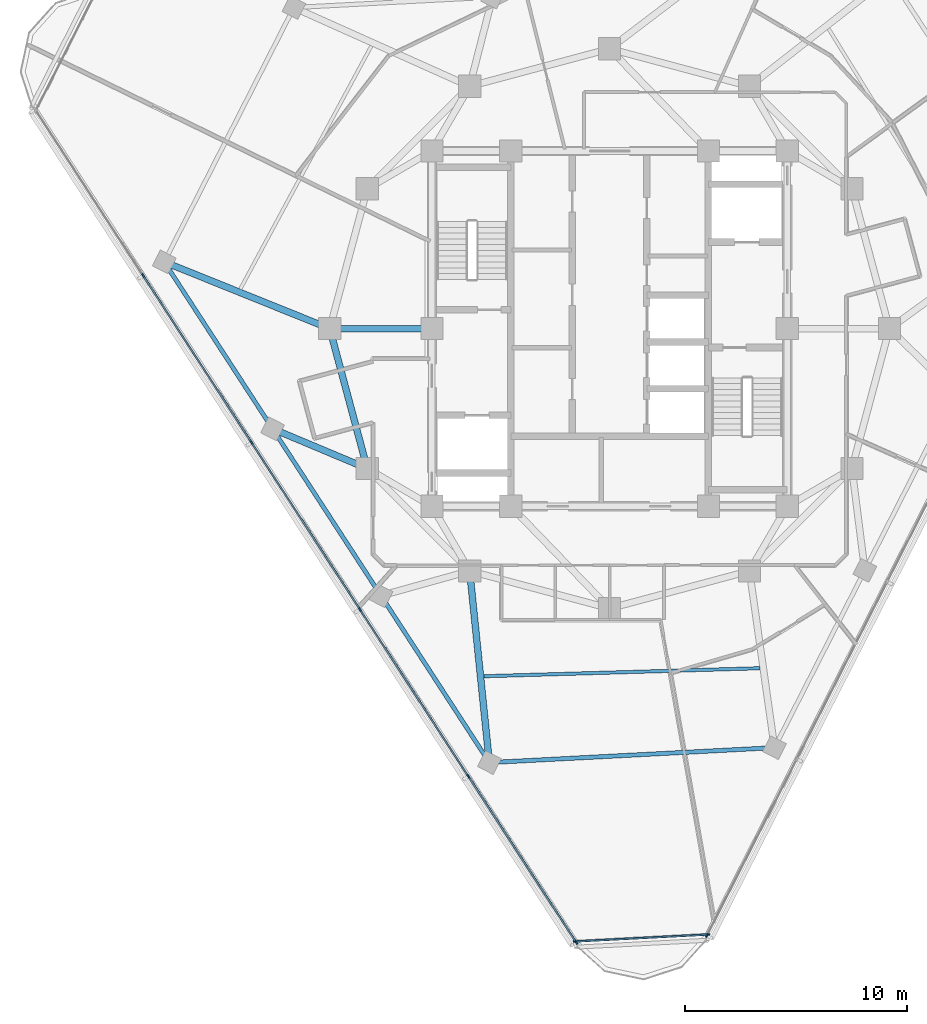
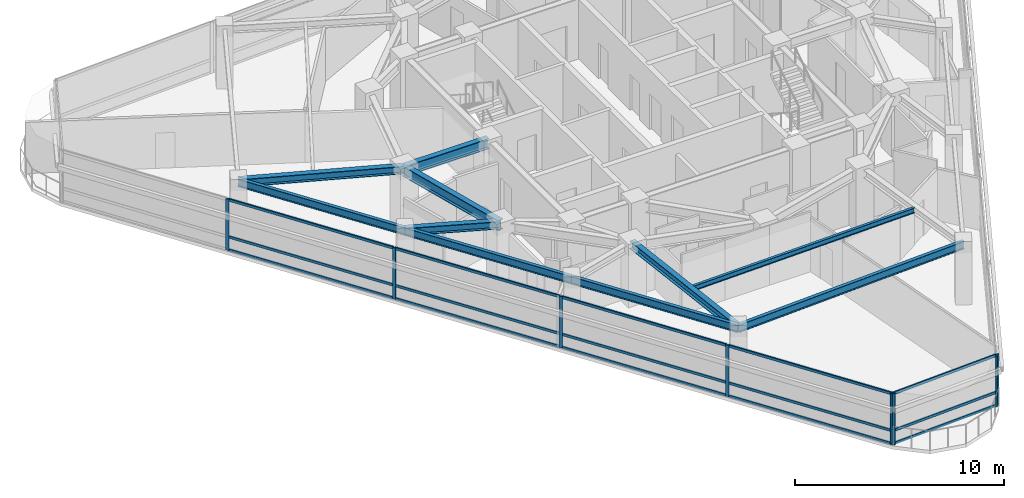
# One storey, part 2 of 15: 23 members, 10 beams, 3 elements without a shape of their own.
"""IFC4 building model written with IfcOpenShell, lengths in metres."""

from ifc_helpers import new_model, si_unit, direction, frame, origin, origin_2d, place, context, subcontext, project, spatial, rectangle, i_section, extrude, material, layer, layer_set, material_profile, profile_set, type_object, element, aggregate, save


model = new_model("IFC4")

# Units and contexts
model_context = context("Model", 3, precision=1e-05, world=origin(), true_north=direction((0.0, 1.0)))
body_context = subcontext(model_context, "Body", "Model", "MODEL_VIEW")
ifc_project = project(units=[si_unit("LENGTHUNIT", "METRE"), si_unit("AREAUNIT", "SQUARE_METRE"), si_unit("VOLUMEUNIT", "CUBIC_METRE"), si_unit("PLANEANGLEUNIT", "RADIAN"), si_unit("MASSUNIT", "GRAM", prefix="KILO")], contexts=[model_context])

# Site, building, storey
site_placement = place(None, origin())
site = spatial("IfcSite", under=ifc_project, at=site_placement, CompositionType="ELEMENT")
building_placement = place(site_placement, origin())
building = spatial("IfcBuilding", under=site, at=building_placement, Name="Terralouvre Media Tower", CompositionType="ELEMENT")
storey_placement = place(building_placement, frame((0.0, 0.0, 255.89990234375)))
storey = spatial("IfcBuildingStorey", under=building, at=storey_placement, Name="L66", CompositionType="ELEMENT", Elevation=255.89990234375)

# Beam
ifc_material_1 = material(Name="Structural steel S355J2", Category="steel")
ifc_material_profile_1 = material_profile(ifc_material_1, i_section(OverallWidth=0.14990234375, OverallDepth=0.300048828125, WebThickness=0.007080078125, FlangeThickness=0.0107421875, at=origin_2d()), Name="IPE 300")
ifc_profile_set_1 = profile_set([ifc_material_profile_1], Name="Structural steel S355J2")
beam_type_1 = type_object("IfcBeamType", Name="Composite Floor Joist J-IPE300 (IPE 300)", PredefinedType="JOIST", material=ifc_profile_set_1)
beam_1_placement = place(storey_placement, frame((-5.662353515625, -15.653564453125, 3.35009765625), z_axis=(0.999577320821, 0.029071974473, 0.0), x_axis=(-0.029071974473, 0.999577320821, 0.0)))
element("IfcBeam", 1, at=beam_1_placement, inside=storey, type_object=beam_type_1, Name="L66 Framing Beam JT-L66-01", PredefinedType="JOIST", context=body_context, shape_type="SweptSolid", body=[
    extrude(i_section(OverallWidth=0.14990234375, OverallDepth=0.300048828125, WebThickness=0.007080078125, FlangeThickness=0.0107421875, at=origin_2d()), origin(), (0.0, 0.0, 1.0), 12.437255859375),
])

# Curtain wall, members
ifc_material_2 = material(Name="Low-iron laminated double glazing with solar-control coating", Category="glass")
ifc_layer_1 = layer(ifc_material_2, 0.1650390625, Name="Upper Executive Tower Curtain Wall CW-05")
ifc_layer_set_1 = layer_set([ifc_layer_1], Name="Low-iron laminated double glazing with solar-control coating")
curtain_wall_type_1 = type_object("IfcCurtainWallType", Name="Upper Executive Tower Curtain Wall CW-05", PredefinedType="NOTDEFINED", material=ifc_layer_set_1)
curtain_wall_1_placement = place(storey_placement, origin())
curtain_wall_1 = element("IfcCurtainWall", 2, at=curtain_wall_1_placement, inside=storey, type_object=curtain_wall_type_1, Name="L66 Facade Curtain Wall F2", PredefinedType="NOTDEFINED")
ifc_material_3 = material(Name="Anodised extruded aluminium 6063-T6", Category="aluminium")
ifc_material_profile_2 = material_profile(ifc_material_3, rectangle(XDim=0.074951171875, YDim=0.14990234375, at=origin_2d()), Name="ALU 75x150")
ifc_profile_set_2 = profile_set([ifc_material_profile_2], Name="Anodised extruded aluminium 6063-T6")
member_type_1 = type_object("IfcMemberType", Name="Curtain-Wall Horizontal Transom TR-150", PredefinedType="USERDEFINED", material=ifc_profile_set_2)
member_1_placement = place(storey_placement, frame((-20.98046875, 2.355712890625, 0.03759765625), z_axis=(0.544647362145, -0.838665160185, 0.0), x_axis=(0.838665160185, 0.544647362145, 0.0)))
member_1 = element("IfcMember", 3, at=member_1_placement, type_object=member_type_1, Name="CW-05 transom 2.1", ObjectType="TRANSOM", PredefinedType="USERDEFINED", context=body_context, shape_type="SweptSolid", body=[
    extrude(rectangle(XDim=0.074951171875, YDim=0.14990234375, at=origin_2d()), origin(), (0.0, 0.0, 1.0), 8.884765625),
])
member_2_placement = place(storey_placement, frame((-20.98046875, 2.355712890625, 0.800048828125), z_axis=(0.544647362145, -0.838665160185, 0.0), x_axis=(0.838665160185, 0.544647362145, 0.0)))
member_2 = element("IfcMember", 4, at=member_2_placement, type_object=member_type_1, Name="CW-05 transom 2.2", ObjectType="TRANSOM", PredefinedType="USERDEFINED", context=body_context, shape_type="SweptSolid", body=[
    extrude(rectangle(XDim=0.074951171875, YDim=0.14990234375, at=origin_2d()), origin(), (0.0, 0.0, 1.0), 8.884765625),
])
member_3_placement = place(storey_placement, frame((-20.98046875, 2.355712890625, 2.962646484375), z_axis=(0.544647362145, -0.838665160185, 0.0), x_axis=(0.838665160185, 0.544647362145, 0.0)))
member_3 = element("IfcMember", 5, at=member_3_placement, type_object=member_type_1, Name="CW-05 transom 2.3", ObjectType="TRANSOM", PredefinedType="USERDEFINED", context=body_context, shape_type="SweptSolid", body=[
    extrude(rectangle(XDim=0.074951171875, YDim=0.14990234375, at=origin_2d()), origin(), (0.0, 0.0, 1.0), 8.884765625),
])
member_4_placement = place(storey_placement, frame((-16.1005859375, -5.15869140625, 0.03759765625), z_axis=(0.544634810925, -0.838673311087, 0.0), x_axis=(0.838673311087, 0.544634810925, 0.0)))
member_4 = element("IfcMember", 6, at=member_4_placement, type_object=member_type_1, Name="CW-05 transom 3.1", ObjectType="TRANSOM", PredefinedType="USERDEFINED", context=body_context, shape_type="SweptSolid", body=[
    extrude(rectangle(XDim=0.074951171875, YDim=0.14990234375, at=origin_2d()), origin(), (0.0, 0.0, 1.0), 8.885009765625),
])
member_5_placement = place(storey_placement, frame((-16.1005859375, -5.15869140625, 0.800048828125), z_axis=(0.544634810925, -0.838673311087, 0.0), x_axis=(0.838673311087, 0.544634810925, 0.0)))
member_5 = element("IfcMember", 7, at=member_5_placement, type_object=member_type_1, Name="CW-05 transom 3.2", ObjectType="TRANSOM", PredefinedType="USERDEFINED", context=body_context, shape_type="SweptSolid", body=[
    extrude(rectangle(XDim=0.074951171875, YDim=0.14990234375, at=origin_2d()), origin(), (0.0, 0.0, 1.0), 8.885009765625),
])
member_6_placement = place(storey_placement, frame((-16.1005859375, -5.15869140625, 2.962646484375), z_axis=(0.544634810925, -0.838673311087, 0.0), x_axis=(0.838673311087, 0.544634810925, 0.0)))
member_6 = element("IfcMember", 8, at=member_6_placement, type_object=member_type_1, Name="CW-05 transom 3.3", ObjectType="TRANSOM", PredefinedType="USERDEFINED", context=body_context, shape_type="SweptSolid", body=[
    extrude(rectangle(XDim=0.074951171875, YDim=0.14990234375, at=origin_2d()), origin(), (0.0, 0.0, 1.0), 8.885009765625),
])
member_7_placement = place(storey_placement, frame((-11.220458984375, -12.673095703125, 0.03759765625), z_axis=(0.544634810925, -0.838673311087, 0.0), x_axis=(0.838673311087, 0.544634810925, 0.0)))
member_7 = element("IfcMember", 9, at=member_7_placement, type_object=member_type_1, Name="CW-05 transom 4.1", ObjectType="TRANSOM", PredefinedType="USERDEFINED", context=body_context, shape_type="SweptSolid", body=[
    extrude(rectangle(XDim=0.074951171875, YDim=0.14990234375, at=origin_2d()), origin(), (0.0, 0.0, 1.0), 8.885009765625),
])
member_8_placement = place(storey_placement, frame((-11.220458984375, -12.673095703125, 0.800048828125), z_axis=(0.544634810925, -0.838673311087, 0.0), x_axis=(0.838673311087, 0.544634810925, 0.0)))
member_8 = element("IfcMember", 10, at=member_8_placement, type_object=member_type_1, Name="CW-05 transom 4.2", ObjectType="TRANSOM", PredefinedType="USERDEFINED", context=body_context, shape_type="SweptSolid", body=[
    extrude(rectangle(XDim=0.074951171875, YDim=0.14990234375, at=origin_2d()), origin(), (0.0, 0.0, 1.0), 8.885009765625),
])
member_9_placement = place(storey_placement, frame((-11.220458984375, -12.673095703125, 2.962646484375), z_axis=(0.544634810925, -0.838673311087, 0.0), x_axis=(0.838673311087, 0.544634810925, 0.0)))
member_9 = element("IfcMember", 11, at=member_9_placement, type_object=member_type_1, Name="CW-05 transom 4.3", ObjectType="TRANSOM", PredefinedType="USERDEFINED", context=body_context, shape_type="SweptSolid", body=[
    extrude(rectangle(XDim=0.074951171875, YDim=0.14990234375, at=origin_2d()), origin(), (0.0, 0.0, 1.0), 8.885009765625),
])
member_10_placement = place(storey_placement, frame((-6.340576171875, -20.187744140625, 0.03759765625), z_axis=(0.544630398361, -0.838676176591, 0.0), x_axis=(0.838676176591, 0.544630398361, 0.0)))
member_10 = element("IfcMember", 12, at=member_10_placement, type_object=member_type_1, Name="CW-05 transom 5.1", ObjectType="TRANSOM", PredefinedType="USERDEFINED", context=body_context, shape_type="SweptSolid", body=[
    extrude(rectangle(XDim=0.074951171875, YDim=0.14990234375, at=origin_2d()), origin(), (0.0, 0.0, 1.0), 8.847412109375),
])
member_11_placement = place(storey_placement, frame((-6.340576171875, -20.187744140625, 0.800048828125), z_axis=(0.544630398361, -0.838676176591, 0.0), x_axis=(0.838676176591, 0.544630398361, 0.0)))
member_11 = element("IfcMember", 13, at=member_11_placement, type_object=member_type_1, Name="CW-05 transom 5.2", ObjectType="TRANSOM", PredefinedType="USERDEFINED", context=body_context, shape_type="SweptSolid", body=[
    extrude(rectangle(XDim=0.074951171875, YDim=0.14990234375, at=origin_2d()), origin(), (0.0, 0.0, 1.0), 8.847412109375),
])
member_12_placement = place(storey_placement, frame((-6.340576171875, -20.187744140625, 2.962646484375), z_axis=(0.544630398361, -0.838676176591, 0.0), x_axis=(0.838676176591, 0.544630398361, 0.0)))
member_12 = element("IfcMember", 14, at=member_12_placement, type_object=member_type_1, Name="CW-05 transom 5.3", ObjectType="TRANSOM", PredefinedType="USERDEFINED", context=body_context, shape_type="SweptSolid", body=[
    extrude(rectangle(XDim=0.074951171875, YDim=0.14990234375, at=origin_2d()), origin(), (0.0, 0.0, 1.0), 8.847412109375),
])

ifc_material_4 = material(Name="Low-iron laminated double glazing with solar-control coating", Category="glass")
ifc_layer_2 = layer(ifc_material_4, 0.1650390625, Name="Rounded Wind-Corner Curved Glazing CW-04")
ifc_layer_set_2 = layer_set([ifc_layer_2], Name="Low-iron laminated double glazing with solar-control coating")
curtain_wall_type_2 = type_object("IfcCurtainWallType", Name="Rounded Wind-Corner Curved Glazing CW-04", PredefinedType="NOTDEFINED", material=ifc_layer_set_2)
curtain_wall_2_placement = place(storey_placement, origin())
curtain_wall_2 = element("IfcCurtainWall", 15, at=curtain_wall_2_placement, inside=storey, type_object=curtain_wall_type_2, Name="L66 Rounded Wind-Corner Curtain Wall C0", PredefinedType="NOTDEFINED")
member_13_placement = place(storey_placement, frame((-1.51416015625, -27.59228515625, 0.03759765625), z_axis=(0.998630348994, 0.052320417325, 0.0), x_axis=(-0.052320417325, 0.998630348994, 0.0)))
member_13 = element("IfcMember", 16, at=member_13_placement, type_object=member_type_1, Name="CW-04 transom 1.1", ObjectType="TRANSOM", PredefinedType="USERDEFINED", context=body_context, shape_type="SweptSolid", body=[
    extrude(rectangle(XDim=0.074951171875, YDim=0.14990234375, at=origin_2d()), origin(), (0.0, 0.0, 1.0), 5.912109375),
])
member_14_placement = place(storey_placement, frame((-1.51416015625, -27.59228515625, 0.800048828125), z_axis=(0.998630348994, 0.052320417325, 0.0), x_axis=(-0.052320417325, 0.998630348994, 0.0)))
member_14 = element("IfcMember", 17, at=member_14_placement, type_object=member_type_1, Name="CW-04 transom 1.2", ObjectType="TRANSOM", PredefinedType="USERDEFINED", context=body_context, shape_type="SweptSolid", body=[
    extrude(rectangle(XDim=0.074951171875, YDim=0.14990234375, at=origin_2d()), origin(), (0.0, 0.0, 1.0), 5.912109375),
])
member_15_placement = place(storey_placement, frame((-1.51416015625, -27.59228515625, 2.962646484375), z_axis=(0.998630348994, 0.052320417325, 0.0), x_axis=(-0.052320417325, 0.998630348994, 0.0)))
member_15 = element("IfcMember", 18, at=member_15_placement, type_object=member_type_1, Name="CW-04 transom 1.3", ObjectType="TRANSOM", PredefinedType="USERDEFINED", context=body_context, shape_type="SweptSolid", body=[
    extrude(rectangle(XDim=0.074951171875, YDim=0.14990234375, at=origin_2d()), origin(), (0.0, 0.0, 1.0), 5.912109375),
])

# Curtain wall, member
curtain_wall_3_placement = place(storey_placement, origin())
curtain_wall_3 = element("IfcCurtainWall", 19, at=curtain_wall_3_placement, inside=storey, type_object=curtain_wall_type_1, Name="L66 Facade Curtain Wall F0", PredefinedType="NOTDEFINED")
ifc_material_5 = material(Name="Anodised extruded aluminium 6063-T6", Category="aluminium")
ifc_material_profile_3 = material_profile(ifc_material_5, rectangle(XDim=0.074951171875, YDim=0.179931640625, at=origin_2d()), Name="ALU 75x180")
ifc_profile_set_3 = profile_set([ifc_material_profile_3], Name="Anodised extruded aluminium 6063-T6")
member_type_2 = type_object("IfcMemberType", Name="Curtain-Wall Vertical Mullion ML-180", PredefinedType="MULLION", material=ifc_profile_set_3)
member_16_placement = place(storey_placement, frame((4.38232421875, -27.330810546875, 0.0), z_axis=(0.0, 0.0, 1.0), x_axis=(-0.891006553308, 0.45399044259, 0.0)))
member_16 = element("IfcMember", 20, at=member_16_placement, type_object=member_type_2, Name="CW-05 mullion 1", PredefinedType="MULLION", context=body_context, shape_type="SweptSolid", body=[
    extrude(rectangle(XDim=0.074951171875, YDim=0.179931640625, at=origin_2d()), origin(), (0.0, 0.0, 1.0), 3.0),
])
aggregate(curtain_wall_3, [member_16])

# Member
member_17_placement = place(storey_placement, frame((-21.0009765625, 2.38720703125, 0.0), z_axis=(0.0, 0.0, 1.0), x_axis=(0.838670545826, 0.544639069077, 0.0)))
member_17 = element("IfcMember", 21, at=member_17_placement, type_object=member_type_2, Name="CW-05 mullion 2", PredefinedType="MULLION", context=body_context, shape_type="SweptSolid", body=[
    extrude(rectangle(XDim=0.074951171875, YDim=0.179931640625, at=origin_2d()), origin(), (0.0, 0.0, 1.0), 3.0),
])

member_18_placement = place(storey_placement, frame((-16.120849609375, -5.127197265625, 0.0), z_axis=(0.0, 0.0, 1.0), x_axis=(0.838670545826, 0.544639069077, 0.0)))
member_18 = element("IfcMember", 22, at=member_18_placement, type_object=member_type_2, Name="CW-05 mullion 3", PredefinedType="MULLION", context=body_context, shape_type="SweptSolid", body=[
    extrude(rectangle(XDim=0.074951171875, YDim=0.179931640625, at=origin_2d()), origin(), (0.0, 0.0, 1.0), 3.0),
])

member_19_placement = place(storey_placement, frame((-11.240966796875, -12.641845703125, 0.0), z_axis=(0.0, 0.0, 1.0), x_axis=(0.838670545826, 0.544639069077, 0.0)))
member_19 = element("IfcMember", 23, at=member_19_placement, type_object=member_type_2, Name="CW-05 mullion 4", PredefinedType="MULLION", context=body_context, shape_type="SweptSolid", body=[
    extrude(rectangle(XDim=0.074951171875, YDim=0.179931640625, at=origin_2d()), origin(), (0.0, 0.0, 1.0), 3.0),
])

member_20_placement = place(storey_placement, frame((-6.361083984375, -20.15625, 0.0), z_axis=(0.0, 0.0, 1.0), x_axis=(0.838670545826, 0.544639069077, 0.0)))
member_20 = element("IfcMember", 24, at=member_20_placement, type_object=member_type_2, Name="CW-05 mullion 5", PredefinedType="MULLION", context=body_context, shape_type="SweptSolid", body=[
    extrude(rectangle(XDim=0.074951171875, YDim=0.179931640625, at=origin_2d()), origin(), (0.0, 0.0, 1.0), 3.0),
])

member_21_placement = place(storey_placement, frame((-1.50146484375, -27.63916015625, 0.0), z_axis=(0.0, 0.0, 1.0), x_axis=(0.838670545826, 0.544639069077, 0.0)))
member_21 = element("IfcMember", 25, at=member_21_placement, type_object=member_type_2, Name="CW-05 mullion 6", PredefinedType="MULLION", context=body_context, shape_type="SweptSolid", body=[
    extrude(rectangle(XDim=0.074951171875, YDim=0.179931640625, at=origin_2d()), origin(), (0.0, 0.0, 1.0), 3.0),
])

aggregate(curtain_wall_1, [member_17, member_18, member_19, member_20, member_21, member_1, member_2, member_3, member_4, member_5, member_6, member_7, member_8, member_9, member_10, member_11, member_12])

member_22_placement = place(storey_placement, frame((-1.551513671875, -27.59423828125, 0.0), z_axis=(0.0, 0.0, 1.0), x_axis=(-0.05233597552, 0.998629533744, 0.0)))
member_22 = element("IfcMember", 26, at=member_22_placement, type_object=member_type_2, Name="CW-04 mullion 1", PredefinedType="MULLION", context=body_context, shape_type="SweptSolid", body=[
    extrude(rectangle(XDim=0.074951171875, YDim=0.179931640625, at=origin_2d()), origin(), (0.0, 0.0, 1.0), 3.0),
])

member_23_placement = place(storey_placement, frame((4.427490234375, -27.281005859375, 0.0), z_axis=(0.0, 0.0, 1.0), x_axis=(-0.05233597552, 0.998629533744, 0.0)))
member_23 = element("IfcMember", 27, at=member_23_placement, type_object=member_type_2, Name="CW-04 mullion 2", PredefinedType="MULLION", context=body_context, shape_type="SweptSolid", body=[
    extrude(rectangle(XDim=0.074951171875, YDim=0.179931640625, at=origin_2d()), origin(), (0.0, 0.0, 1.0), 3.0),
])

aggregate(curtain_wall_2, [member_22, member_23, member_13, member_14, member_15])

# Beams
ifc_material_6 = material(Name="Structural steel S355J2", Category="steel")
ifc_material_profile_4 = material_profile(ifc_material_6, i_section(OverallWidth=0.18994140625, OverallDepth=0.449951171875, WebThickness=0.009521484375, FlangeThickness=0.0146484375, at=origin_2d()), Name="IPE 450")
ifc_profile_set_4 = profile_set([ifc_material_profile_4], Name="Structural steel S355J2")
beam_type_2 = type_object("IfcBeamType", Name="Perimeter Spandrel Beam SPB-450 (IPE 450)", PredefinedType="SPANDREL", material=ifc_profile_set_4)
beam_2_placement = place(storey_placement, frame((-15.17333984375, -4.51171875, 3.275146484375), z_axis=(0.544643524961, -0.838667652123, 0.0), x_axis=(0.838667652123, 0.544643524961, 0.0)))
element("IfcBeam", 28, at=beam_2_placement, inside=storey, type_object=beam_type_2, Name="L66 Framing Beam BM-L66-PR01", PredefinedType="SPANDREL", context=body_context, shape_type="SweptSolid", body=[
    extrude(i_section(OverallWidth=0.18994140625, OverallDepth=0.449951171875, WebThickness=0.009521484375, FlangeThickness=0.0146484375, at=origin_2d()), origin(), (0.0, 0.0, 1.0), 8.960205078125),
])
beam_3_placement = place(storey_placement, frame((-10.293212890625, -12.0263671875, 3.275146484375), z_axis=(0.544636805853, -0.838672015576, 0.0), x_axis=(0.838672015576, 0.544636805853, 0.0)))
element("IfcBeam", 29, at=beam_3_placement, inside=storey, type_object=beam_type_2, Name="L66 Framing Beam BM-L66-PR02", PredefinedType="SPANDREL", context=body_context, shape_type="SweptSolid", body=[
    extrude(i_section(OverallWidth=0.18994140625, OverallDepth=0.449951171875, WebThickness=0.009521484375, FlangeThickness=0.0146484375, at=origin_2d()), origin(), (0.0, 0.0, 1.0), 8.9599609375),
])
beam_4_placement = place(storey_placement, frame((-5.413330078125, -19.540771484375, 3.275146484375), z_axis=(0.998629710924, 0.052332594613, 0.0), x_axis=(-0.052332594613, 0.998629710924, 0.0)))
element("IfcBeam", 30, at=beam_4_placement, inside=storey, type_object=beam_type_2, Name="L66 Framing Beam BM-L66-PR03", PredefinedType="SPANDREL", context=body_context, shape_type="SweptSolid", body=[
    extrude(i_section(OverallWidth=0.18994140625, OverallDepth=0.449951171875, WebThickness=0.009521484375, FlangeThickness=0.0146484375, at=origin_2d()), origin(), (0.0, 0.0, 1.0), 12.857177734375),
])
beam_5_placement = place(storey_placement, frame((-20.05322265625, 3.002685546875, 3.275146484375), z_axis=(0.544636805853, -0.838672015576, 0.0), x_axis=(0.838672015576, 0.544636805853, 0.0)))
element("IfcBeam", 31, at=beam_5_placement, inside=storey, type_object=beam_type_2, Name="L66 Framing Beam BM-L66-PR12", PredefinedType="SPANDREL", context=body_context, shape_type="SweptSolid", body=[
    extrude(i_section(OverallWidth=0.18994140625, OverallDepth=0.449951171875, WebThickness=0.009521484375, FlangeThickness=0.0146484375, at=origin_2d()), origin(), (0.0, 0.0, 1.0), 8.9599609375),
])
ifc_material_7 = material(Name="Structural steel S355J2", Category="steel")
ifc_material_profile_5 = material_profile(ifc_material_7, i_section(OverallWidth=0.300048828125, OverallDepth=0.449951171875, WebThickness=0.013916015625, FlangeThickness=0.02587890625, at=origin_2d()), Name="HEB 450")
ifc_profile_set_5 = profile_set([ifc_material_profile_5], Name="Structural steel S355J2")
beam_type_3 = type_object("IfcBeamType", Name="Primary Floor Girder B-HEB450 (HEB 450)", PredefinedType="BEAM", material=ifc_profile_set_5)
beam_6_placement = place(storey_placement, frame((-10.911865234375, -6.300048828125, 3.275146484375), z_axis=(-0.922097113404, 0.386958542291, 0.0), x_axis=(-0.386958542291, -0.922097113404, 0.0)))
element("IfcBeam", 32, at=beam_6_placement, inside=storey, type_object=beam_type_3, Name="L66 Framing Beam BM-L66-RD01", PredefinedType="BEAM", context=body_context, shape_type="SweptSolid", body=[
    extrude(i_section(OverallWidth=0.300048828125, OverallDepth=0.449951171875, WebThickness=0.013916015625, FlangeThickness=0.02587890625, at=origin_2d()), origin(), (0.0, 0.0, 1.0), 4.62158203125),
])
beam_7_placement = place(storey_placement, frame((-6.300048828125, -10.911865234375, 3.275146484375), z_axis=(0.102223114396, -0.994761496482, 0.0), x_axis=(0.994761496482, 0.102223114396, 0.0)))
element("IfcBeam", 33, at=beam_7_placement, inside=storey, type_object=beam_type_3, Name="L66 Framing Beam BM-L66-RD03", PredefinedType="BEAM", context=body_context, shape_type="SweptSolid", body=[
    extrude(i_section(OverallWidth=0.300048828125, OverallDepth=0.449951171875, WebThickness=0.013916015625, FlangeThickness=0.02587890625, at=origin_2d()), origin(), (0.0, 0.0, 1.0), 8.67431640625),
])
beam_8_placement = place(storey_placement, frame((-12.60009765625, 0.0, 3.275146484375), z_axis=(-0.927553949727, 0.373689269775, 0.0), x_axis=(-0.373689269775, -0.927553949727, 0.0)))
element("IfcBeam", 34, at=beam_8_placement, inside=storey, type_object=beam_type_3, Name="L66 Framing Beam BM-L66-RD12", PredefinedType="BEAM", context=body_context, shape_type="SweptSolid", body=[
    extrude(i_section(OverallWidth=0.300048828125, OverallDepth=0.449951171875, WebThickness=0.013916015625, FlangeThickness=0.02587890625, at=origin_2d()), origin(), (0.0, 0.0, 1.0), 8.03515625),
])
ifc_material_8 = material(Name="Structural steel S460M", Category="steel")
ifc_material_profile_6 = material_profile(ifc_material_8, i_section(OverallWidth=0.300048828125, OverallDepth=0.60009765625, WebThickness=0.015380859375, FlangeThickness=0.030029296875, at=origin_2d()), Name="HEB 600")
ifc_profile_set_6 = profile_set([ifc_material_profile_6], Name="Structural steel S460M")
beam_type_4 = type_object("IfcBeamType", Name="Primary Floor Girder B-HEB600 (HEB 600)", PredefinedType="BEAM", material=ifc_profile_set_6)
beam_9_placement = place(storey_placement, frame((-12.60009765625, 0.0, 3.2001953125), z_axis=(0.258838989821, -0.965920481897, 0.0), x_axis=(0.965920481897, 0.258838989821, 0.0)))
element("IfcBeam", 35, at=beam_9_placement, inside=storey, type_object=beam_type_4, Name="L66 Framing Beam BM-L66-MR12", PredefinedType="BEAM", context=body_context, shape_type="SweptSolid", body=[
    extrude(i_section(OverallWidth=0.300048828125, OverallDepth=0.60009765625, WebThickness=0.015380859375, FlangeThickness=0.030029296875, at=origin_2d()), origin(), (0.0, 0.0, 1.0), 6.522216796875),
])
beam_10_placement = place(storey_placement, frame((-8.0, 0.0, 3.2001953125), z_axis=(-1.0, 0.0, 0.0), x_axis=(0.0, -1.0, 0.0)))
element("IfcBeam", 36, at=beam_10_placement, inside=storey, type_object=beam_type_4, Name="L66 Framing Beam BM-L66-CM12", PredefinedType="BEAM", context=body_context, shape_type="SweptSolid", body=[
    extrude(i_section(OverallWidth=0.300048828125, OverallDepth=0.60009765625, WebThickness=0.015380859375, FlangeThickness=0.030029296875, at=origin_2d()), origin(), (0.0, 0.0, 1.0), 4.60009765625),
])

save(model, "model.ifc")
